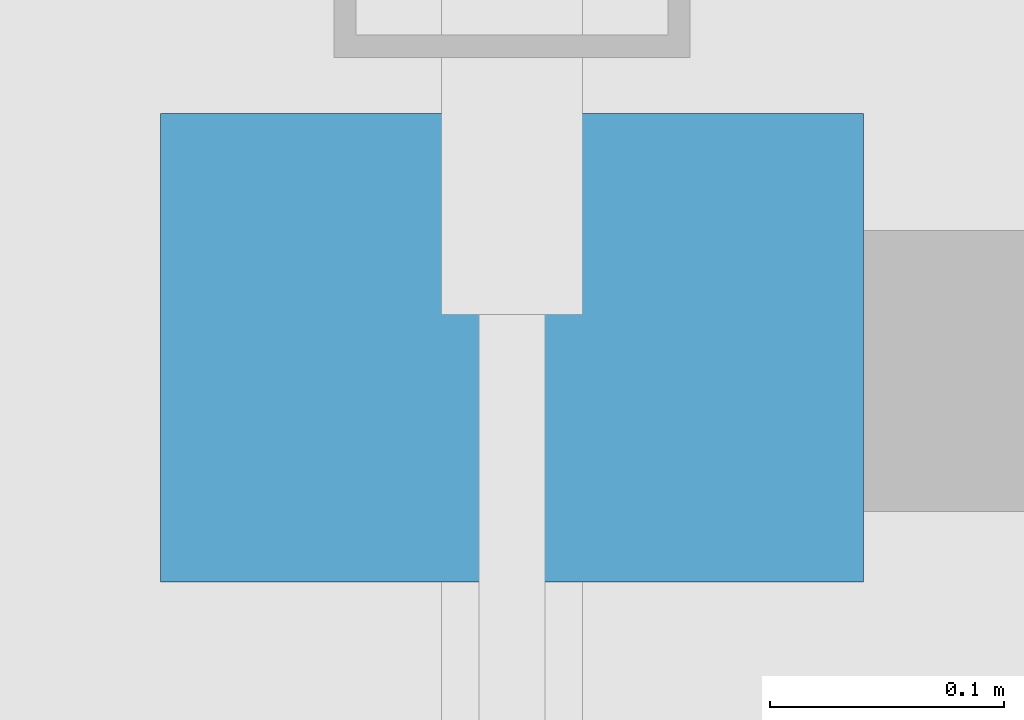
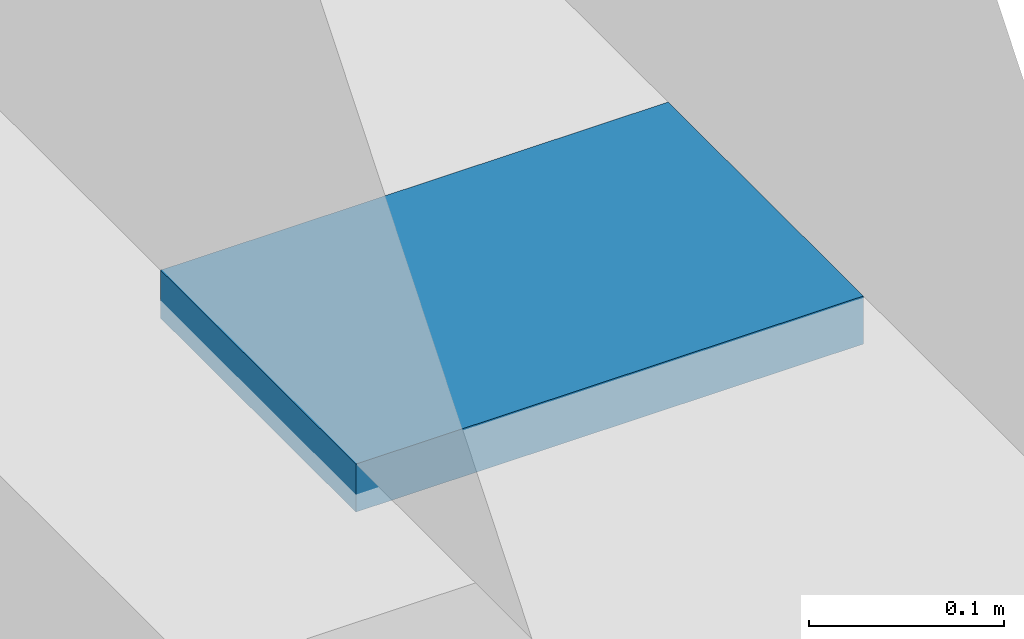
# One storey, part 108 of 131: 1 discrete accessory.
"""IFC4 building model written with IfcOpenShell, lengths in metres."""

import ifcopenshell
import ifcopenshell.guid

model = None  # the IFC model being written
_history = None  # IfcOwnerHistory: only IFC2X3 demands one
_inside = {}  # id of a spatial element -> (the spatial element, [elements in it])
_under = {}  # id of a project, library or spatial element -> (it, [spatial elements below it])
_declared = {}  # id of a project -> (the project, [libraries it declares])
_typed = {}  # id of a type object -> (the type object, [elements of that type])
_made_of = {}  # id of a material, layer set ... -> (it, [elements and type objects made of it])


def new_model(schema):
    """Start an empty IFC model of exactly this schema.

    Asked for "IFC4X3", IfcOpenShell would pick the latest addendum, in which some entities
    have other attributes; the version numbers below select the first issue.
    IFC2X3 requires an IfcOwnerHistory on every rooted entity: one is made here for all.
    """
    global model, _history
    if schema == "IFC4X3":
        model = ifcopenshell.file(schema_version=(4, 3, 0, 0))
    else:
        model = ifcopenshell.file(schema=schema)
    _inside.clear()
    _under.clear()
    _declared.clear()
    _typed.clear()
    _made_of.clear()
    _history = None
    if model.schema == "IFC2X3":
        org = make("IfcOrganization", Name="unknown")
        user = make(
            "IfcPersonAndOrganization",
            ThePerson=make("IfcPerson", FamilyName="unknown"),
            TheOrganization=org,
        )
        app = make(
            "IfcApplication",
            ApplicationDeveloper=org,
            Version="unknown",
            ApplicationFullName="unknown",
            ApplicationIdentifier="unknown",
        )
        _history = make(
            "IfcOwnerHistory",
            OwningUser=user,
            OwningApplication=app,
            ChangeAction="ADDED",
            CreationDate=0,
        )
    return model


def make(cls, **values):
    """One entity of the class cls with the attributes given. An attribute that is None is left unset."""
    return model.create_entity(
        cls, **{name: value for name, value in values.items() if value is not None}
    )


def rooted(cls, **values):
    """An entity with a GlobalId (a new one), such as an element, a storey or a relation."""
    return make(cls, GlobalId=ifcopenshell.guid.new(), OwnerHistory=_history, **values)


def si_unit(unit_type, name, prefix=None):
    """IfcSIUnit, for example si_unit("LENGTHUNIT", "METRE", prefix="MILLI")."""
    return make("IfcSIUnit", UnitType=unit_type, Prefix=prefix, Name=name)


def assignment(units):
    """IfcUnitAssignment: the units of a project."""
    return None if units is None else make("IfcUnitAssignment", Units=units)


def point(xyz):
    """IfcCartesianPoint."""
    return None if xyz is None else make("IfcCartesianPoint", Coordinates=xyz)


def direction(xyz):
    """IfcDirection."""
    return None if xyz is None else make("IfcDirection", DirectionRatios=xyz)


def frame(location, z_axis=None, x_axis=None):
    """IfcAxis2Placement3D, a coordinate frame: its origin and axes. An axis left out is left unset."""
    return make(
        "IfcAxis2Placement3D",
        Location=point(location),
        Axis=direction(z_axis),
        RefDirection=direction(x_axis),
    )


def frame_2d(location, x_axis=None):
    """IfcAxis2Placement2D, a coordinate frame in the plane: its origin and x axis."""
    return make(
        "IfcAxis2Placement2D", Location=point(location), RefDirection=direction(x_axis)
    )


def origin():
    """The frame at (0, 0, 0) with its axes left unset."""
    return frame((0.0, 0.0, 0.0))


def origin_2d():
    """The frame at (0, 0) in the plane with its x axis left unset."""
    return frame_2d((0.0, 0.0))


def place(relative_to, where):
    """IfcLocalPlacement: puts the frame where relative to a parent placement (None: the world)."""
    return make(
        "IfcLocalPlacement", PlacementRelTo=relative_to, RelativePlacement=where
    )


def context(
    kind, dimensions, precision=None, world=None, true_north=None, identifier=None
):
    """IfcGeometricRepresentationContext, for example the 3D "Model" context."""
    return make(
        "IfcGeometricRepresentationContext",
        ContextIdentifier=identifier,
        ContextType=kind,
        CoordinateSpaceDimension=dimensions,
        Precision=precision,
        WorldCoordinateSystem=world,
        TrueNorth=true_north,
    )


def subcontext(parent, identifier, kind, view, scale=None):
    """IfcGeometricRepresentationSubContext, for example "Body" below "Model"."""
    return make(
        "IfcGeometricRepresentationSubContext",
        ContextIdentifier=identifier,
        ContextType=kind,
        ParentContext=parent,
        TargetScale=scale,
        TargetView=view,
    )


def project(units=None, contexts=None):
    """IfcProject with its units and contexts."""
    return rooted(
        "IfcProject",
        Name="project",
        RepresentationContexts=contexts,
        UnitsInContext=assignment(units),
    )


def spatial(cls, under=None, at=None, **own):
    """A site, building, storey or space (cls), placed at a placement, below another one or the project."""
    s = rooted(cls, ObjectPlacement=at, **own)
    if under is not None:
        _under.setdefault(under.id(), (under, []))[1].append(s)
    return s


def profile(cls, at=None, kind="AREA", **sizes):
    """A parametric profile (cls). Its sizes go by their IFC names, for example OverallWidth=200.0."""
    return make(cls, ProfileType=kind, Position=at, **sizes)


def rectangle(**sizes):
    """IfcRectangleProfileDef."""
    return profile("IfcRectangleProfileDef", **sizes)


def extrude(swept, where, along, depth):
    """IfcExtrudedAreaSolid: the profile swept, set in the frame where, extruded along a direction by depth."""
    return make(
        "IfcExtrudedAreaSolid",
        SweptArea=swept,
        Position=where,
        ExtrudedDirection=direction(along),
        Depth=depth,
    )


def shape(context_of_items, identifier, shape_type, items):
    """IfcShapeRepresentation: the items that make up one representation, for example the "Body"."""
    return make(
        "IfcShapeRepresentation",
        ContextOfItems=context_of_items,
        RepresentationIdentifier=identifier,
        RepresentationType=shape_type,
        Items=items,
    )


def material(Name=None, Category=None):
    """IfcMaterial."""
    return make("IfcMaterial", Name=Name, Category=Category)


def material_profile(
    of_material, cross_section, Name=None, Category=None, Priority=None
):
    """IfcMaterialProfile: a cross section and its material."""
    return make(
        "IfcMaterialProfile",
        Name=Name,
        Material=of_material,
        Profile=cross_section,
        Priority=Priority,
        Category=Category,
    )


def profile_set(profiles, Name=None, composite=None):
    """IfcMaterialProfileSet."""
    return make(
        "IfcMaterialProfileSet",
        Name=Name,
        MaterialProfiles=profiles,
        CompositeProfile=composite,
    )


def made_of(thing, what):
    """Note that an element or type object is made of a material, layer set ...; save() writes the relation."""
    if what is not None:
        _made_of.setdefault(what.id(), (what, []))[1].append(thing)
    return thing


def type_object(cls, material=None, **own):
    """A type object (cls), such as IfcWallType, which elements share."""
    return made_of(rooted(cls, **own), material)


def element(
    cls,
    number,
    at=None,
    inside=None,
    cuts=None,
    type_object=None,
    material=None,
    context=None,
    identifier="Body",
    shape_type=None,
    held_by="IfcProductDefinitionShape",
    body=None,
    shapes=None,
    **own,
):
    """One element of the class cls, such as IfcWall. Its Tag is "e" and its number.

    at: its placement. inside: the storey or other place that contains it. cuts: it is an
    opening in that element (IfcRelVoidsElement). A single representation is given by context,
    identifier, shape_type and body (its items); several are given by shapes. held_by: the class
    of the entity that holds the representations. save() writes the other relations.
    """
    e = rooted(cls, Tag="e%d" % number, ObjectPlacement=at, **own)
    if body is not None:
        shapes = [shape(context, identifier, shape_type, body)]
    if shapes is not None:
        e.Representation = make(held_by, Representations=shapes)
    if inside is not None:
        _inside.setdefault(inside.id(), (inside, []))[1].append(e)
    if cuts is not None:
        rooted(
            "IfcRelVoidsElement", RelatingBuildingElement=cuts, RelatedOpeningElement=e
        )
    if type_object is not None:
        _typed.setdefault(type_object.id(), (type_object, []))[1].append(e)
    return made_of(e, material)


def aggregate(whole, parts):
    """IfcRelAggregates: a whole, such as a stair, and the parts it consists of."""
    return rooted("IfcRelAggregates", RelatingObject=whole, RelatedObjects=parts)


def save(model, path):
    """Write the relations noted so far, then the file.

    IfcRelAggregates (storeys below a building ...), IfcRelContainedInSpatialStructure (elements
    in a storey), IfcRelDefinesByType, IfcRelAssociatesMaterial and IfcRelDeclares: one each for
    every whole, place, type object, material and project.
    """
    for whole, parts in _under.values():
        aggregate(whole, parts)
    for where, things in _inside.values():
        rooted(
            "IfcRelContainedInSpatialStructure",
            RelatedElements=things,
            RelatingStructure=where,
        )
    for kind, things in _typed.values():
        rooted("IfcRelDefinesByType", RelatedObjects=things, RelatingType=kind)
    for what, things in _made_of.values():
        rooted("IfcRelAssociatesMaterial", RelatedObjects=things, RelatingMaterial=what)
    for by, libraries in _declared.values():
        rooted("IfcRelDeclares", RelatingContext=by, RelatedDefinitions=libraries)
    model.write(path)


model = new_model("IFC4")

# Units and contexts
model_context = context("Model", 3, precision=1e-05, world=origin(), true_north=direction((0.0, 1.0)))
body_context = subcontext(model_context, "Body", "Model", "MODEL_VIEW")
ifc_project = project(units=[si_unit("LENGTHUNIT", "METRE"), si_unit("AREAUNIT", "SQUARE_METRE"), si_unit("VOLUMEUNIT", "CUBIC_METRE"), si_unit("PLANEANGLEUNIT", "RADIAN"), si_unit("MASSUNIT", "GRAM", prefix="KILO")], contexts=[model_context])

# Site, building, storey
site_placement = place(None, origin())
site = spatial("IfcSite", under=ifc_project, at=site_placement, CompositionType="ELEMENT")
building_placement = place(site_placement, origin())
building = spatial("IfcBuilding", under=site, at=building_placement, Name="Alderwick Market Hall", CompositionType="ELEMENT")
storey_placement = place(building_placement, frame((0.0, 0.0, 4.800048828125)))
storey = spatial("IfcBuildingStorey", under=building, at=storey_placement, Name="L00", CompositionType="ELEMENT", Elevation=4.800048828125)

# Discrete accessory
ifc_material = material(Name="PTFE-faced stainless steel sliding bearing on steel plate, ASTM A709 Grade 50", Category="steel")
ifc_material_profile = material_profile(ifc_material, rectangle(XDim=0.300048828125, YDim=0.030029296875, at=origin_2d()), Name="P Sliding Bearing 300x200x30")
ifc_profile_set = profile_set([ifc_material_profile], Name="PTFE-faced stainless steel sliding bearing on steel plate, ASTM A709 Grade 50")
discrete_accessory_type = type_object("IfcDiscreteAccessoryType", Name="P Sliding Bearing 300x200x30", PredefinedType="SHOE", material=ifc_profile_set)
discrete_accessory_placement = place(storey_placement, frame((126.300048828125, 114.5, -1.1650390625), z_axis=(0.0, 1.0, 0.0), x_axis=(-1.0, 0.0, 0.0)))
element("IfcDiscreteAccessory", 1, at=discrete_accessory_placement, inside=storey, type_object=discrete_accessory_type, Name="Sliding bearing", PredefinedType="SHOE", context=body_context, shape_type="SweptSolid", body=[
    extrude(rectangle(XDim=0.300048828125, YDim=0.030029296875, at=origin_2d()), origin(), (0.0, 0.0, 1.0), 0.199951171875),
])

save(model, "model.ifc")
